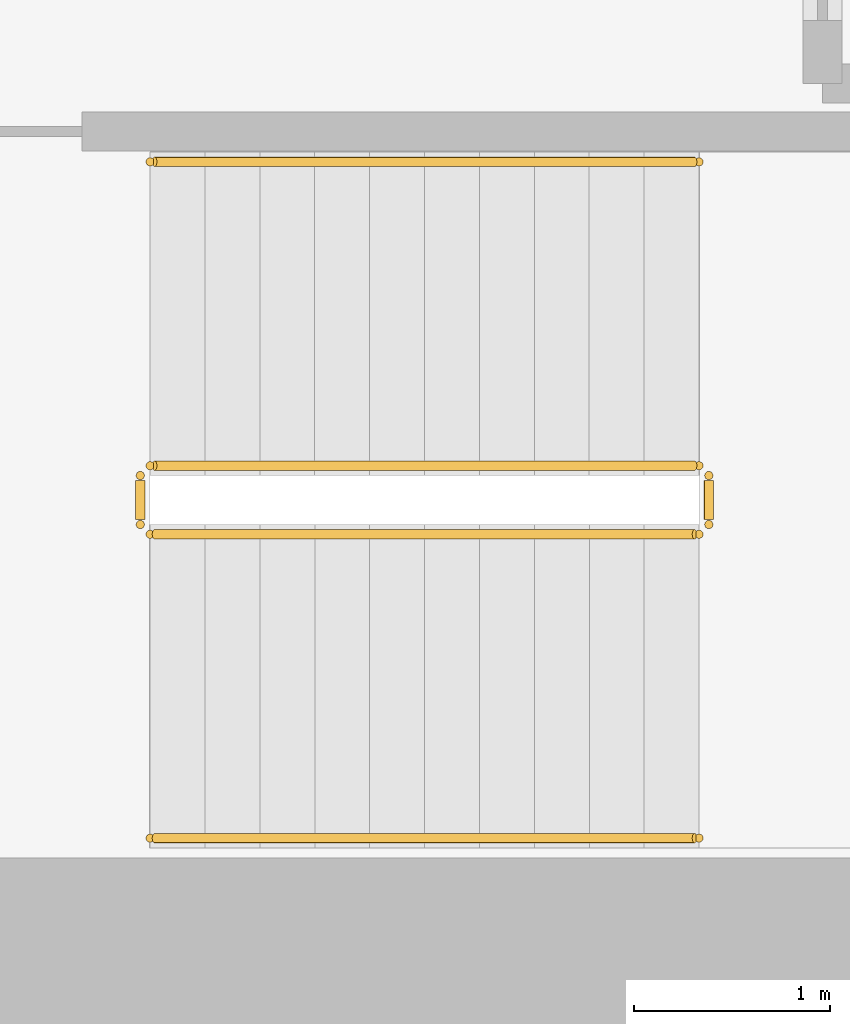
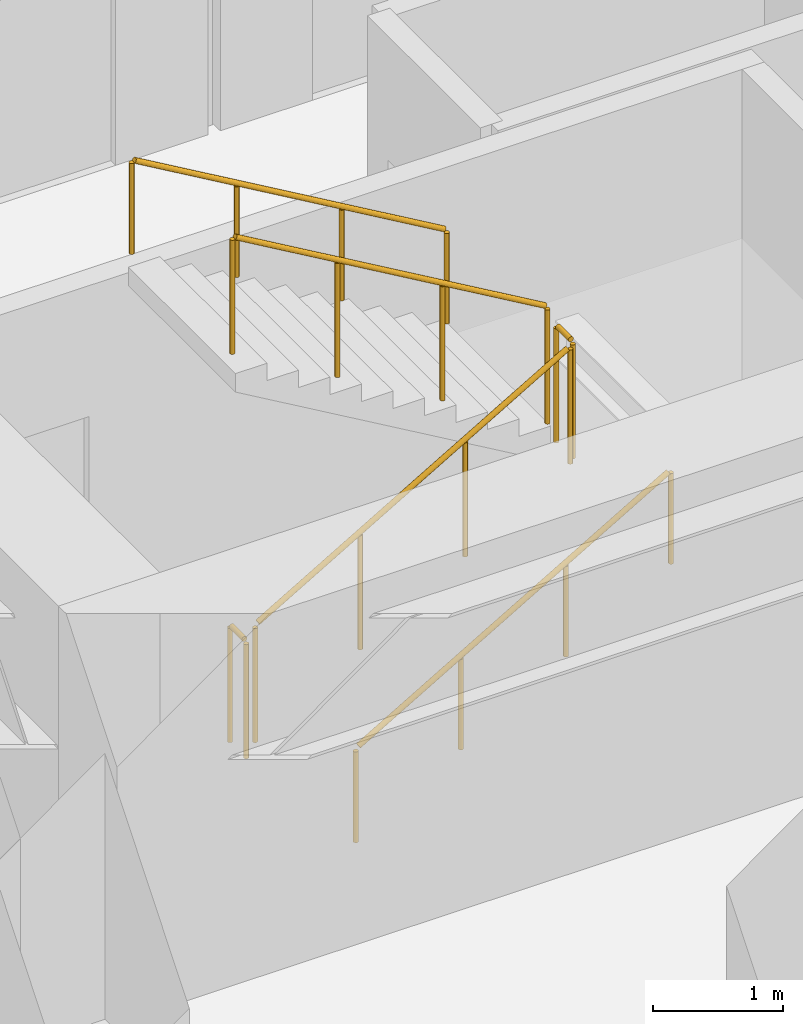
# One storey, part 12 of 12: 6 railings.
"""IFC4 building model written with IfcOpenShell, lengths in metres."""

from ifc_helpers import new_model, si_unit, direction, frame, origin, origin_2d, place, context, subcontext, project, spatial, circle, extrude, source, transform, mapped, material, layer, layer_set, type_object, element, save


model = new_model("IFC4")

# Units and contexts
model_context = context("Model", 3, precision=1e-05, world=origin(), true_north=direction((0.0, 1.0)))
body_context = subcontext(model_context, "Body", "Model", "MODEL_VIEW")
ifc_project = project(units=[si_unit("LENGTHUNIT", "METRE"), si_unit("AREAUNIT", "SQUARE_METRE"), si_unit("VOLUMEUNIT", "CUBIC_METRE"), si_unit("PLANEANGLEUNIT", "RADIAN"), si_unit("MASSUNIT", "GRAM", prefix="KILO")], contexts=[model_context])

# Site, building, storey
site_placement = place(None, origin())
site = spatial("IfcSite", under=ifc_project, at=site_placement, CompositionType="ELEMENT")
building_placement = place(site_placement, origin())
building = spatial("IfcBuilding", under=site, at=building_placement, Name="Kharzan Plaza Tower", CompositionType="ELEMENT")
storey_placement = place(building_placement, frame((0.0, 0.0, 62.10009765625)))
storey = spatial("IfcBuildingStorey", under=building, at=storey_placement, Name="L16", CompositionType="ELEMENT", Elevation=62.10009765625)

# Railings
ifc_material_1 = material(Name="Painted Galvanized Architectural Steel", Category="steel")
ifc_layer_1 = layer(ifc_material_1, 0.074951171875)
ifc_layer_set_1 = layer_set([ifc_layer_1], Name="Painted Galvanized Architectural Steel")
railing_type_1 = type_object("IfcRailingType", Name="RL-GUARD-1120", PredefinedType="BALUSTRADE", material=ifc_layer_set_1)
shared_shape_1 = source(origin(), body_context, "Body", "SweptSolid", [
    extrude(circle(Radius=0.02392578125, at=origin_2d()), frame((0.0, 0.0263671875, 1.09619140625), z_axis=(0.0, 1.0, 0.0), x_axis=(-1.0, 0.0, 0.0)), (0.0, 0.0, 1.0), 0.197021484375),
    extrude(circle(Radius=0.02099609375, at=origin_2d()), origin(), (0.0, 0.0, 1.0), 1.072021484375),
    extrude(circle(Radius=0.02099609375, at=origin_2d()), frame((0.0, 0.25, 0.0)), (0.0, 0.0, 1.0), 1.072021484375),
])
for number, where, name in (
    (1, (41.10009765625, 6.64990234375, 1.7998046875), "L16 ST-3 stair guard 2"),
    (2, (38.199951171875, 6.64990234375, 0.0), "L16 ST-3 stair guard 4"),
):
    element("IfcRailing", number, at=place(storey_placement, frame(where)), inside=storey, type_object=railing_type_1, Name=name, PredefinedType="BALUSTRADE", context=body_context, shape_type="MappedRepresentation", body=[
        mapped(shared_shape_1, transform((0.0, 0.0, 0.0), x_axis=(1.0, 0.0, 0.0), y_axis=(0.0, 1.0, 0.0), z_axis=(0.0, 0.0, 1.0))),
    ])
shared_shape_2 = source(origin(), body_context, "Body", "SweptSolid", [
    extrude(circle(Radius=0.02392578125, at=origin_2d()), frame((0.02294921875, 0.0, 1.109375), z_axis=(0.863393664356, 0.0, 0.504530851732), x_axis=(0.0, 1.0, 0.0)), (0.0, 0.0, 1.0), 3.190185546875),
    extrude(circle(Radius=0.02099609375, at=origin_2d()), origin(), (0.0, 0.0, 1.0), 1.072021484375),
    extrude(circle(Radius=0.02099609375, at=origin_2d()), frame((0.933349609375, 0.0, 0.54541015625)), (0.0, 0.0, 1.0), 1.072021484375),
    extrude(circle(Radius=0.02099609375, at=origin_2d()), frame((1.86669921875, 0.0, 1.0908203125)), (0.0, 0.0, 1.0), 1.072021484375),
    extrude(circle(Radius=0.02099609375, at=origin_2d()), frame((2.800048828125, 0.0, 1.63623046875)), (0.0, 0.0, 1.0), 1.072021484375),
])
railing_1_placement = place(storey_placement, frame((38.25, 6.60009765625, 0.16357421875)))
element("IfcRailing", 3, at=railing_1_placement, inside=storey, type_object=railing_type_1, Name="L16 ST-3 stair guard 1", PredefinedType="BALUSTRADE", context=body_context, shape_type="MappedRepresentation", body=[
    mapped(shared_shape_2, transform((0.0, 0.0, 0.0), x_axis=(1.0, 0.0, 0.0), y_axis=(0.0, 1.0, 0.0), z_axis=(0.0, 0.0, 1.0))),
])
shared_shape_3 = source(origin(), body_context, "Body", "SweptSolid", [
    extrude(circle(Radius=0.02392578125, at=origin_2d()), frame((-0.02294921875, 0.0, 1.109375), z_axis=(-0.863393664356, 0.0, 0.504530851732), x_axis=(0.0, -1.0, 0.0)), (0.0, 0.0, 1.0), 3.190185546875),
    extrude(circle(Radius=0.02099609375, at=origin_2d()), origin(), (0.0, 0.0, 1.0), 1.072021484375),
    extrude(circle(Radius=0.02099609375, at=origin_2d()), frame((-0.933349609375, 0.0, 0.54541015625)), (0.0, 0.0, 1.0), 1.072021484375),
    extrude(circle(Radius=0.02099609375, at=origin_2d()), frame((-1.86669921875, 0.0, 1.0908203125)), (0.0, 0.0, 1.0), 1.072021484375),
    extrude(circle(Radius=0.02099609375, at=origin_2d()), frame((-2.800048828125, 0.0, 1.63623046875)), (0.0, 0.0, 1.0), 1.072021484375),
])
railing_2_placement = place(storey_placement, frame((41.050048828125, 6.949951171875, 1.963623046875)))
element("IfcRailing", 4, at=railing_2_placement, inside=storey, type_object=railing_type_1, Name="L16 ST-3 stair guard 3", PredefinedType="BALUSTRADE", context=body_context, shape_type="MappedRepresentation", body=[
    mapped(shared_shape_3, transform((0.0, 0.0, 0.0), x_axis=(1.0, 0.0, 0.0), y_axis=(0.0, 1.0, 0.0), z_axis=(0.0, 0.0, 1.0))),
])
ifc_material_2 = material(Name="Brushed Stainless Steel", Category="steel")
ifc_layer_2 = layer(ifc_material_2, 0.050048828125)
ifc_layer_set_2 = layer_set([ifc_layer_2], Name="Brushed Stainless Steel")
railing_type_2 = type_object("IfcRailingType", Name="RL-STAIR-HR920", PredefinedType="HANDRAIL", material=ifc_layer_set_2)
shared_shape_4 = source(origin(), body_context, "Body", "SweptSolid", [
    extrude(circle(Radius=0.02392578125, at=origin_2d()), frame((0.02294921875, 0.0, 0.88916015625), z_axis=(0.863393664356, 0.0, 0.504530851732), x_axis=(0.0, 1.0, 0.0)), (0.0, 0.0, 1.0), 3.190185546875),
    extrude(circle(Radius=0.02099609375, at=origin_2d()), origin(), (0.0, 0.0, 1.0), 0.851806640625),
    extrude(circle(Radius=0.02099609375, at=origin_2d()), frame((0.933349609375, 0.0, 0.54541015625)), (0.0, 0.0, 1.0), 0.851806640625),
    extrude(circle(Radius=0.02099609375, at=origin_2d()), frame((1.86669921875, 0.0, 1.0908203125)), (0.0, 0.0, 1.0), 0.851806640625),
    extrude(circle(Radius=0.02099609375, at=origin_2d()), frame((2.800048828125, 0.0, 1.63623046875)), (0.0, 0.0, 1.0), 0.851806640625),
])
railing_3_placement = place(storey_placement, frame((38.25, 5.050048828125, 0.16357421875)))
element("IfcRailing", 5, at=railing_3_placement, inside=storey, type_object=railing_type_2, Name="L16 ST-3 stair handrail 1", PredefinedType="HANDRAIL", context=body_context, shape_type="MappedRepresentation", body=[
    mapped(shared_shape_4, transform((0.0, 0.0, 0.0), x_axis=(1.0, 0.0, 0.0), y_axis=(0.0, 1.0, 0.0), z_axis=(0.0, 0.0, 1.0))),
])
shared_shape_5 = source(origin(), body_context, "Body", "SweptSolid", [
    extrude(circle(Radius=0.02392578125, at=origin_2d()), frame((-0.02294921875, 0.0, 0.88916015625), z_axis=(-0.863393664356, 0.0, 0.504530851732), x_axis=(0.0, -1.0, 0.0)), (0.0, 0.0, 1.0), 3.190185546875),
    extrude(circle(Radius=0.02099609375, at=origin_2d()), origin(), (0.0, 0.0, 1.0), 0.851806640625),
    extrude(circle(Radius=0.02099609375, at=origin_2d()), frame((-0.933349609375, 0.0, 0.54541015625)), (0.0, 0.0, 1.0), 0.851806640625),
    extrude(circle(Radius=0.02099609375, at=origin_2d()), frame((-1.86669921875, 0.0, 1.0908203125)), (0.0, 0.0, 1.0), 0.851806640625),
    extrude(circle(Radius=0.02099609375, at=origin_2d()), frame((-2.800048828125, 0.0, 1.63623046875)), (0.0, 0.0, 1.0), 0.851806640625),
])
railing_4_placement = place(storey_placement, frame((41.050048828125, 8.5, 1.963623046875)))
element("IfcRailing", 6, at=railing_4_placement, inside=storey, type_object=railing_type_2, Name="L16 ST-3 stair handrail 2", PredefinedType="HANDRAIL", context=body_context, shape_type="MappedRepresentation", body=[
    mapped(shared_shape_5, transform((0.0, 0.0, 0.0), x_axis=(1.0, 0.0, 0.0), y_axis=(0.0, 1.0, 0.0), z_axis=(0.0, 0.0, 1.0))),
])

save(model, "model.ifc")
